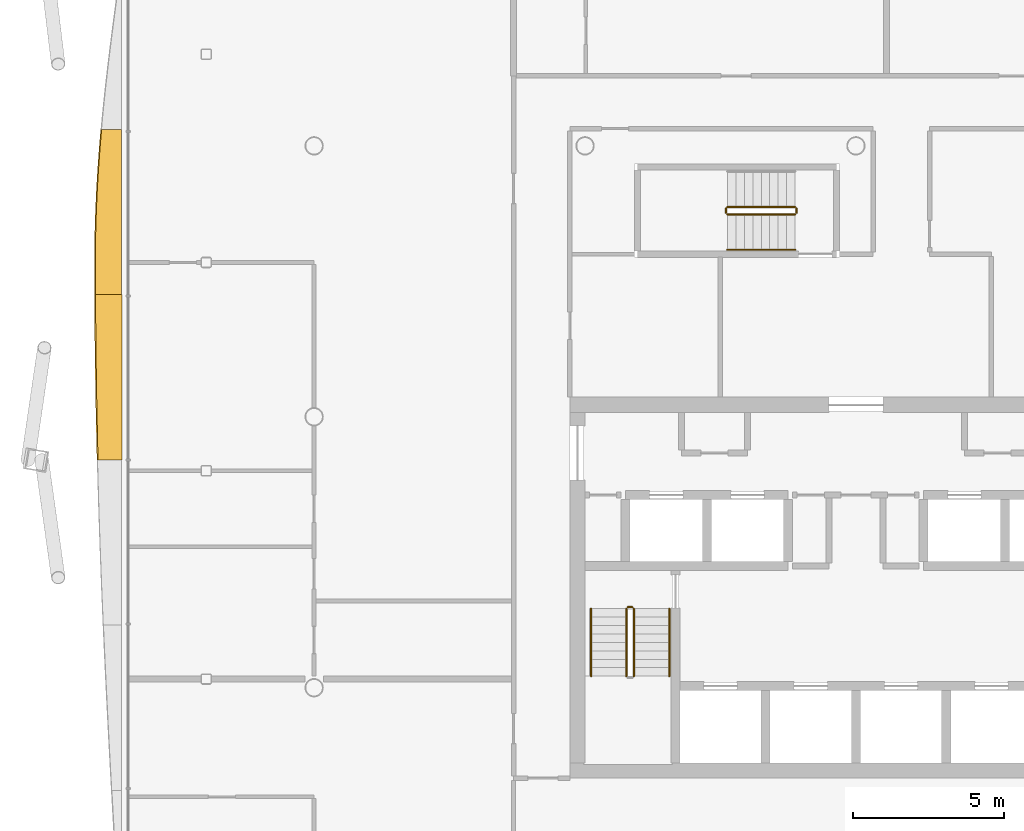
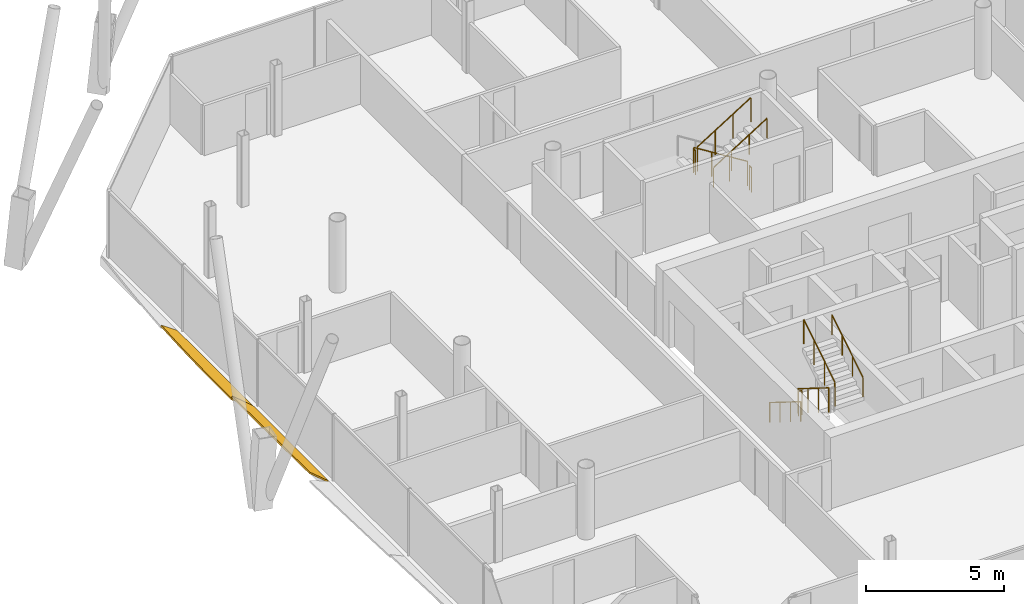
# One storey, part 18 of 21: 10 railings, 2 shading devices.
"""IFC4 building model written with IfcOpenShell, lengths in metres."""

from ifc_helpers import new_model, si_unit, direction, frame, origin, origin_2d, place, context, subcontext, project, spatial, polyline, circle, outline, extrude, material, layer, layer_set, type_object, element, save


model = new_model("IFC4")

# Units and contexts
model_context = context("Model", 3, precision=1e-05, world=origin(), true_north=direction((0.0, 1.0)))
body_context = subcontext(model_context, "Body", "Model", "MODEL_VIEW")
ifc_project = project(units=[si_unit("LENGTHUNIT", "METRE"), si_unit("AREAUNIT", "SQUARE_METRE"), si_unit("VOLUMEUNIT", "CUBIC_METRE"), si_unit("PLANEANGLEUNIT", "RADIAN"), si_unit("MASSUNIT", "GRAM", prefix="KILO")], contexts=[model_context])

# Site, building, storey
site_placement = place(None, origin())
site = spatial("IfcSite", under=ifc_project, at=site_placement, CompositionType="ELEMENT")
building_placement = place(site_placement, origin())
building = spatial("IfcBuilding", under=site, at=building_placement, Name="Tskaro Facet Tower", CompositionType="ELEMENT")
storey_placement = place(building_placement, frame((0.0, 0.0, 172.199951171875)))
storey = spatial("IfcBuildingStorey", under=building, at=storey_placement, Name="L42", CompositionType="ELEMENT", Elevation=172.199951171875)

# Shading devices
ifc_material_1 = material(Name="Bronze anodised aluminium 6063-T6", Category="aluminium")
ifc_layer = layer(ifc_material_1, 0.06005859375, Name="Bronze anodised aluminium 6063-T6")
ifc_layer_set = layer_set([ifc_layer], Name="Bronze anodised aluminium 6063-T6")
shading_device_type = type_object("IfcShadingDeviceType", Name="Bronze sun blade (FN1)", PredefinedType="USERDEFINED", material=ifc_layer_set)
shading_device_1_placement = place(storey_placement, frame((-24.3916015625, 9.545166015625, 0.04931640625), z_axis=(0.573482916229, 1.0671846e-05, 0.819217519759), x_axis=(6.120121e-06, -0.999999999943, 8.742563e-06)))
element("IfcShadingDevice", 1, at=shading_device_1_placement, inside=storey, type_object=shading_device_type, Name="Fin blade west 2", ObjectType="FIN", PredefinedType="USERDEFINED", context=body_context, shape_type="SweptSolid", body=[
    extrude(outline(polyline([(0.0, 0.0), (5.489746093437391, 0.0), (5.489746093792527, -1.0642414682321872), (4.803710937794474, -1.0663415505612757), (4.457763672829418, -1.0666815653161748), (4.117431640531991, -1.065121502019282), (3.4311523430590194, -1.052861022799651), (2.7448730479373395, -1.0279400558057974), (2.0585937491902686, -0.9911586181469053), (1.3725585932057938, -0.9425967265008847), (0.6862792963858457, -0.8829944041772271), (-8.58269799607139e-10, -0.8132316849630271), (0.0, 0.0)])), origin(), (0.0, 0.0, -1.0), 0.06005859375),
])
shading_device_2_placement = place(storey_placement, frame((-24.387451171875, 4.055419921875, 0.0458984375), z_axis=(0.642845731178, 2.569602e-06, 0.765995669635), x_axis=(1.651857e-06, -0.999999999997, 1.968304e-06)))
element("IfcShadingDevice", 2, at=shading_device_2_placement, inside=storey, type_object=shading_device_type, Name="Fin blade west 3", ObjectType="FIN", PredefinedType="USERDEFINED", context=body_context, shape_type="SweptSolid", body=[
    extrude(outline(polyline([(0.0, 0.0), (5.489990234356876, 1.1625506521549958e-21), (5.48999023449649, -1.029521677284822), (4.803710937188002, -1.051371264170139), (4.117431640703082, -1.0709400419702506), (3.4311523436773603, -1.0881011318295117), (2.745117187696923, -1.1031684232651), (2.0588378904734266, -1.1154840713397167), (1.3725585940734994, -1.1255189103291277), (0.6862792966522281, -1.1329891166190993), (5.452615820120112e-11, -1.1381785138238656), (0.0, 0.0)])), origin(), (0.0, 0.0, -1.0), 0.06005859375),
])

# Railings
ifc_material_2 = material(Name="Stainless steel", Category="steel")
railing_type_1 = type_object("IfcRailingType", Name="RL-GUARD-1100", PredefinedType="GUARDRAIL", material=ifc_material_2)
railing_1_placement = place(storey_placement, frame((-7.625, -6.375, 0.175048828125)))
element("IfcRailing", 3, at=railing_1_placement, inside=storey, type_object=railing_type_1, Name="L42 ST-1 stair guard 1", PredefinedType="GUARDRAIL", context=body_context, shape_type="SweptSolid", body=[
    extrude(circle(Radius=0.02392578125, at=origin_2d()), frame((0.0, 0.0, 1.076171875), z_axis=(0.0, -0.848013881152, 0.529974015752), x_axis=(1.0, 0.0, 0.0)), (0.0, 0.0, 1.0), 2.641357421875),
    extrude(circle(Radius=0.02099609375, at=origin_2d()), origin(), (0.0, 0.0, 1.0), 1.052001953125),
    extrude(circle(Radius=0.02099609375, at=origin_2d()), frame((0.0, -0.74658203125, 0.466552734375)), (0.0, 0.0, 1.0), 1.052001953125),
    extrude(circle(Radius=0.02099609375, at=origin_2d()), frame((0.0, -1.493408203125, 0.933349609375)), (0.0, 0.0, 1.0), 1.052001953125),
    extrude(circle(Radius=0.02099609375, at=origin_2d()), frame((0.0, -2.239990234375, 1.39990234375)), (0.0, 0.0, 1.0), 1.052001953125),
])
railing_2_placement = place(storey_placement, frame((-7.375, -8.614990234375, 1.75)))
element("IfcRailing", 4, at=railing_2_placement, inside=storey, type_object=railing_type_1, Name="L42 ST-1 stair guard 3", PredefinedType="GUARDRAIL", context=body_context, shape_type="SweptSolid", body=[
    extrude(circle(Radius=0.02392578125, at=origin_2d()), frame((0.0, 0.0, 1.076171875), z_axis=(0.0, 0.847972341737, 0.530040477369), x_axis=(-1.0, 0.0, 0.0)), (0.0, 0.0, 1.0), 2.6416015625),
    extrude(circle(Radius=0.02099609375, at=origin_2d()), origin(), (0.0, 0.0, 1.0), 1.052001953125),
    extrude(circle(Radius=0.02099609375, at=origin_2d()), frame((0.0, 0.74658203125, 0.466796875)), (0.0, 0.0, 1.0), 1.052001953125),
    extrude(circle(Radius=0.02099609375, at=origin_2d()), frame((0.0, 1.493408203125, 0.933349609375)), (0.0, 0.0, 1.0), 1.052001953125),
    extrude(circle(Radius=0.02099609375, at=origin_2d()), frame((0.0, 2.239990234375, 1.400146484375)), (0.0, 0.0, 1.0), 1.052001953125),
])
railing_3_placement = place(storey_placement, frame((-7.574951171875, -6.324951171875, 0.0)))
element("IfcRailing", 5, at=railing_3_placement, inside=storey, type_object=railing_type_1, Name="L42 ST-1 stair guard 4", PredefinedType="GUARDRAIL", context=body_context, shape_type="SweptSolid", body=[
    extrude(circle(Radius=0.02392578125, at=origin_2d()), frame((0.0, 0.0, 1.076171875), z_axis=(1.0, 0.0, 0.0), x_axis=(0.0, 1.0, 0.0)), (0.0, 0.0, 1.0), 0.14990234375),
    extrude(circle(Radius=0.02099609375, at=origin_2d()), origin(), (0.0, 0.0, 1.0), 1.052001953125),
    extrude(circle(Radius=0.02099609375, at=origin_2d()), frame((0.14990234375, 0.0, 0.0)), (0.0, 0.0, 1.0), 1.052001953125),
])
railing_4_placement = place(storey_placement, frame((-2.02490234375, 6.97509765625, 0.175048828125)))
element("IfcRailing", 6, at=railing_4_placement, inside=storey, type_object=railing_type_1, Name="L42 ST-3 stair guard 1", PredefinedType="GUARDRAIL", context=body_context, shape_type="SweptSolid", body=[
    extrude(circle(Radius=0.02392578125, at=origin_2d()), frame((0.0, 0.0, 1.076171875), z_axis=(-0.848013881152, 0.0, 0.529974015752), x_axis=(0.0, -1.0, 0.0)), (0.0, 0.0, 1.0), 2.641357421875),
    extrude(circle(Radius=0.02099609375, at=origin_2d()), origin(), (0.0, 0.0, 1.0), 1.052001953125),
    extrude(circle(Radius=0.02099609375, at=origin_2d()), frame((-0.74658203125, 0.0, 0.466552734375)), (0.0, 0.0, 1.0), 1.052001953125),
    extrude(circle(Radius=0.02099609375, at=origin_2d()), frame((-1.493408203125, 0.0, 0.933349609375)), (0.0, 0.0, 1.0), 1.052001953125),
    extrude(circle(Radius=0.02099609375, at=origin_2d()), frame((-2.239990234375, 0.0, 1.39990234375)), (0.0, 0.0, 1.0), 1.052001953125),
])
railing_5_placement = place(storey_placement, frame((-4.31494140625, 6.925048828125, 1.574951171875)))
element("IfcRailing", 7, at=railing_5_placement, inside=storey, type_object=railing_type_1, Name="L42 ST-3 stair guard 2", PredefinedType="GUARDRAIL", context=body_context, shape_type="SweptSolid", body=[
    extrude(circle(Radius=0.02392578125, at=origin_2d()), frame((0.0, 0.0, 1.076171875), z_axis=(0.0, -1.0, 0.0), x_axis=(1.0, 0.0, 0.0)), (0.0, 0.0, 1.0), 0.150146484375),
    extrude(circle(Radius=0.02099609375, at=origin_2d()), origin(), (0.0, 0.0, 1.0), 1.052001953125),
    extrude(circle(Radius=0.02099609375, at=origin_2d()), frame((0.0, -0.150146484375, 0.0)), (0.0, 0.0, 1.0), 1.052001953125),
])
railing_6_placement = place(storey_placement, frame((-4.264892578125, 6.72509765625, 1.75)))
element("IfcRailing", 8, at=railing_6_placement, inside=storey, type_object=railing_type_1, Name="L42 ST-3 stair guard 3", PredefinedType="GUARDRAIL", context=body_context, shape_type="SweptSolid", body=[
    extrude(circle(Radius=0.02392578125, at=origin_2d()), frame((0.0, 0.0, 1.076171875), z_axis=(0.847972341737, 0.0, 0.530040477369), x_axis=(0.0, 1.0, 0.0)), (0.0, 0.0, 1.0), 2.6416015625),
    extrude(circle(Radius=0.02099609375, at=origin_2d()), origin(), (0.0, 0.0, 1.0), 1.052001953125),
    extrude(circle(Radius=0.02099609375, at=origin_2d()), frame((0.74658203125, 0.0, 0.466796875)), (0.0, 0.0, 1.0), 1.052001953125),
    extrude(circle(Radius=0.02099609375, at=origin_2d()), frame((1.493408203125, 0.0, 0.933349609375)), (0.0, 0.0, 1.0), 1.052001953125),
    extrude(circle(Radius=0.02099609375, at=origin_2d()), frame((2.239990234375, 0.0, 1.400146484375)), (0.0, 0.0, 1.0), 1.052001953125),
])
railing_7_placement = place(storey_placement, frame((-1.97509765625, 6.925048828125, 0.0)))
element("IfcRailing", 9, at=railing_7_placement, inside=storey, type_object=railing_type_1, Name="L42 ST-3 stair guard 4", PredefinedType="GUARDRAIL", context=body_context, shape_type="SweptSolid", body=[
    extrude(circle(Radius=0.02392578125, at=origin_2d()), frame((0.0, 0.0, 1.076171875), z_axis=(0.0, -1.0, 0.0), x_axis=(1.0, 0.0, 0.0)), (0.0, 0.0, 1.0), 0.150146484375),
    extrude(circle(Radius=0.02099609375, at=origin_2d()), origin(), (0.0, 0.0, 1.0), 1.052001953125),
    extrude(circle(Radius=0.02099609375, at=origin_2d()), frame((0.0, -0.150146484375, 0.0)), (0.0, 0.0, 1.0), 1.052001953125),
])
railing_type_2 = type_object("IfcRailingType", Name="RL-HANDRAIL-900", PredefinedType="HANDRAIL", material=ifc_material_2)
railing_8_placement = place(storey_placement, frame((-8.800048828125, -6.375, 0.175048828125)))
element("IfcRailing", 10, at=railing_8_placement, inside=storey, type_object=railing_type_2, Name="L42 ST-1 stair handrail 1", PredefinedType="HANDRAIL", context=body_context, shape_type="SweptSolid", body=[
    extrude(circle(Radius=0.02392578125, at=origin_2d()), frame((0.0, 0.0, 0.8759765625), z_axis=(0.0, -0.848013881152, 0.529974015752), x_axis=(1.0, 0.0, 0.0)), (0.0, 0.0, 1.0), 2.641357421875),
    extrude(circle(Radius=0.02099609375, at=origin_2d()), origin(), (0.0, 0.0, 1.0), 0.851806640625),
    extrude(circle(Radius=0.02099609375, at=origin_2d()), frame((0.0, -0.74658203125, 0.466552734375)), (0.0, 0.0, 1.0), 0.851806640625),
    extrude(circle(Radius=0.02099609375, at=origin_2d()), frame((0.0, -1.493408203125, 0.933349609375)), (0.0, 0.0, 1.0), 0.851806640625),
    extrude(circle(Radius=0.02099609375, at=origin_2d()), frame((0.0, -2.239990234375, 1.39990234375)), (0.0, 0.0, 1.0), 0.851806640625),
])
railing_9_placement = place(storey_placement, frame((-6.199951171875, -8.614990234375, 1.75)))
element("IfcRailing", 11, at=railing_9_placement, inside=storey, type_object=railing_type_2, Name="L42 ST-1 stair handrail 2", PredefinedType="HANDRAIL", context=body_context, shape_type="SweptSolid", body=[
    extrude(circle(Radius=0.02392578125, at=origin_2d()), frame((0.0, 0.0, 0.8759765625), z_axis=(0.0, 0.847972341737, 0.530040477369), x_axis=(-1.0, 0.0, 0.0)), (0.0, 0.0, 1.0), 2.6416015625),
    extrude(circle(Radius=0.02099609375, at=origin_2d()), origin(), (0.0, 0.0, 1.0), 0.851806640625),
    extrude(circle(Radius=0.02099609375, at=origin_2d()), frame((0.0, 0.74658203125, 0.466796875)), (0.0, 0.0, 1.0), 0.851806640625),
    extrude(circle(Radius=0.02099609375, at=origin_2d()), frame((0.0, 1.493408203125, 0.933349609375)), (0.0, 0.0, 1.0), 0.851806640625),
    extrude(circle(Radius=0.02099609375, at=origin_2d()), frame((0.0, 2.239990234375, 1.400146484375)), (0.0, 0.0, 1.0), 0.851806640625),
])
railing_10_placement = place(storey_placement, frame((-4.264892578125, 5.550048828125, 1.75)))
element("IfcRailing", 12, at=railing_10_placement, inside=storey, type_object=railing_type_2, Name="L42 ST-3 stair handrail 2", PredefinedType="HANDRAIL", context=body_context, shape_type="SweptSolid", body=[
    extrude(circle(Radius=0.02392578125, at=origin_2d()), frame((0.0, 0.0, 0.8759765625), z_axis=(0.847972341737, 0.0, 0.530040477369), x_axis=(0.0, 1.0, 0.0)), (0.0, 0.0, 1.0), 2.6416015625),
    extrude(circle(Radius=0.02099609375, at=origin_2d()), origin(), (0.0, 0.0, 1.0), 0.851806640625),
    extrude(circle(Radius=0.02099609375, at=origin_2d()), frame((0.74658203125, 0.0, 0.466796875)), (0.0, 0.0, 1.0), 0.851806640625),
    extrude(circle(Radius=0.02099609375, at=origin_2d()), frame((1.493408203125, 0.0, 0.933349609375)), (0.0, 0.0, 1.0), 0.851806640625),
    extrude(circle(Radius=0.02099609375, at=origin_2d()), frame((2.239990234375, 0.0, 1.400146484375)), (0.0, 0.0, 1.0), 0.851806640625),
])

save(model, "model.ifc")
